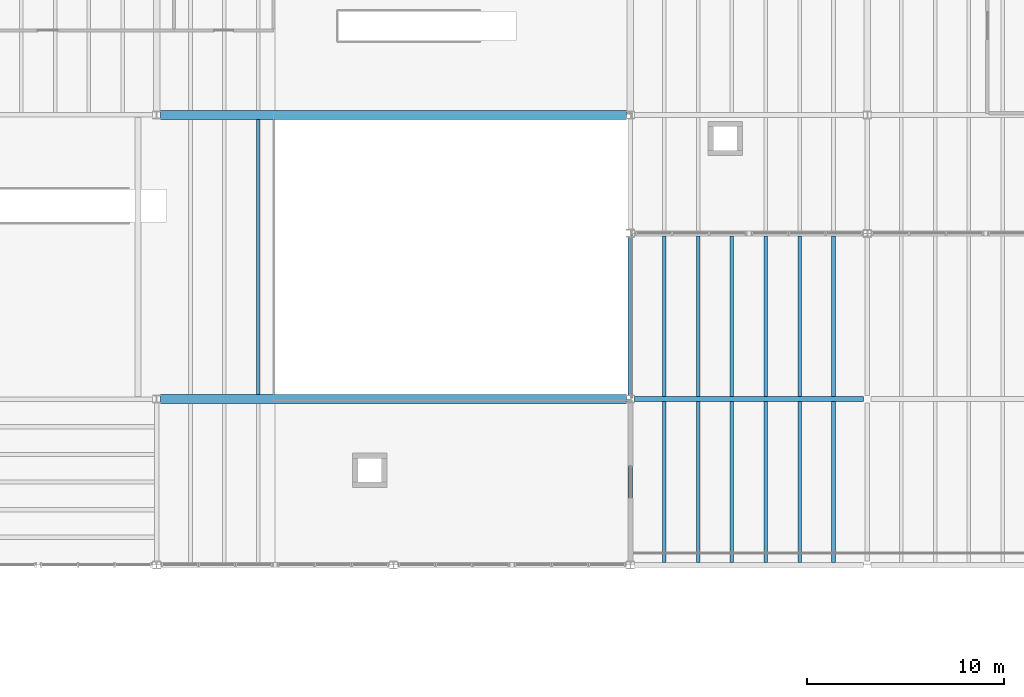
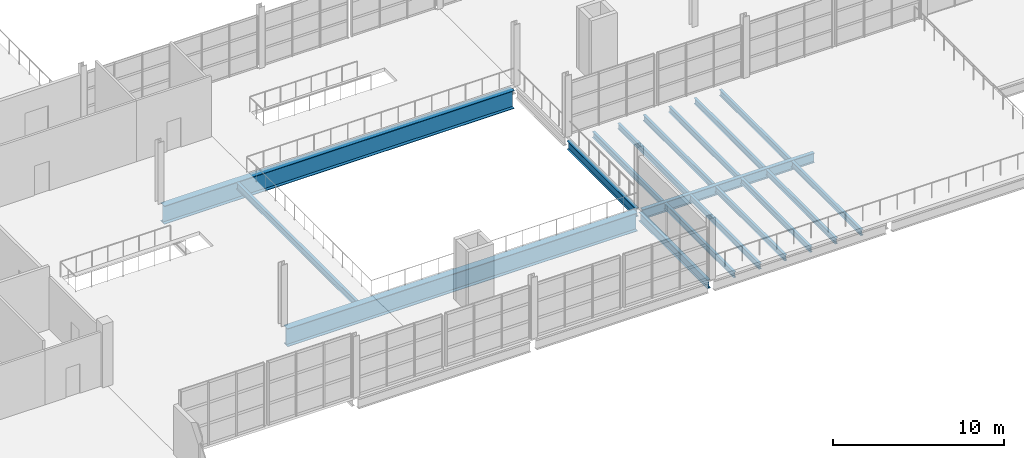
# One storey, part 19 of 78: 18 beams.
"""IFC4 building model written with IfcOpenShell, lengths in metres."""

from ifc_helpers import new_model, si_unit, direction, frame, origin, origin_2d, place, context, subcontext, project, spatial, i_section, extrude, material, material_profile, profile_set, type_object, element, save


model = new_model("IFC4")

# Units and contexts
model_context = context("Model", 3, precision=1e-05, world=origin(), true_north=direction((0.0, 1.0)))
body_context = subcontext(model_context, "Body", "Model", "MODEL_VIEW")
ifc_project = project(units=[si_unit("LENGTHUNIT", "METRE"), si_unit("AREAUNIT", "SQUARE_METRE"), si_unit("VOLUMEUNIT", "CUBIC_METRE"), si_unit("PLANEANGLEUNIT", "RADIAN"), si_unit("MASSUNIT", "GRAM", prefix="KILO")], contexts=[model_context])

# Site, building, storey
site_placement = place(None, origin())
site = spatial("IfcSite", under=ifc_project, at=site_placement, CompositionType="ELEMENT")
building_placement = place(site_placement, origin())
building = spatial("IfcBuilding", under=site, at=building_placement, Name="Kelmvaro Bay Concert Hall", CompositionType="ELEMENT")
storey_placement = place(building_placement, frame((0.0, 0.0, 9.300048828125)))
storey = spatial("IfcBuildingStorey", under=building, at=storey_placement, Name="L02", CompositionType="ELEMENT", Elevation=9.300048828125)

# Beams
ifc_material_1 = material(Name="Steel ASTM A992 Grade 50", Category="steel")
ifc_material_profile_1 = material_profile(ifc_material_1, i_section(OverallWidth=0.19189453125, OverallDepth=0.4619140625, WebThickness=0.010498046875, FlangeThickness=0.017578125, at=origin_2d()), Name="W18X60")
ifc_profile_set_1 = profile_set([ifc_material_profile_1], Name="Steel ASTM A992 Grade 50")
beam_type_1 = type_object("IfcBeamType", Name="Acoustic Box Floor Joist W18x60", PredefinedType="JOIST", material=ifc_profile_set_1)
beam_1_placement = place(storey_placement, frame((65.142822265625, 15.824951171875, -0.48095703125), z_axis=(0.0, 1.0, 0.0), x_axis=(-1.0, 0.0, 0.0)))
element("IfcBeam", 1, at=beam_1_placement, inside=storey, type_object=beam_type_1, Name="L02 Floor Joist JST-L02-0953", PredefinedType="JOIST", context=body_context, shape_type="SweptSolid", body=[
    extrude(i_section(OverallWidth=0.19189453125, OverallDepth=0.4619140625, WebThickness=0.010498046875, FlangeThickness=0.017578125, at=origin_2d()), origin(), (0.0, 0.0, 1.0), 13.949951171875),
])
ifc_material_2 = material(Name="Steel ASTM A992 Grade 50", Category="steel")
ifc_material_profile_2 = material_profile(ifc_material_2, i_section(OverallWidth=0.256103515625, OverallDepth=0.693115234375, WebThickness=0.014404296875, FlangeThickness=0.023681640625, at=origin_2d()), Name="W27X114")
ifc_profile_set_2 = profile_set([ifc_material_profile_2], Name="Steel ASTM A992 Grade 50")
beam_type_2 = type_object("IfcBeamType", Name="Foyer Primary Girder W27x114", PredefinedType="BEAM", material=ifc_profile_set_2)
beam_2_placement = place(storey_placement, frame((84.199462890625, 15.60009765625, -0.586669921875), z_axis=(1.0, 0.0, 0.0), x_axis=(0.0, 1.0, 0.0)))
element("IfcBeam", 2, at=beam_2_placement, inside=storey, type_object=beam_type_2, Name="L02 Girder BM-L02-EW-0697", PredefinedType="BEAM", context=body_context, shape_type="SweptSolid", body=[
    extrude(i_section(OverallWidth=0.256103515625, OverallDepth=0.693115234375, WebThickness=0.014404296875, FlangeThickness=0.023681640625, at=origin_2d()), origin(), (0.0, 0.0, 1.0), 11.6025390625),
])
ifc_material_3 = material(Name="Steel ASTM A992 Grade 50", Category="steel")
ifc_material_profile_3 = material_profile(ifc_material_3, i_section(OverallWidth=0.449951171875, OverallDepth=1.300048828125, WebThickness=0.01806640625, FlangeThickness=0.031982421875, at=origin_2d()), Name="PG1300X450")
ifc_profile_set_3 = profile_set([ifc_material_profile_3], Name="Steel ASTM A992 Grade 50")
beam_type_3 = type_object("IfcBeamType", Name="Long Span Transfer Girder PG1300x450", PredefinedType="BEAM", material=ifc_profile_set_3)
for number, where, z_axis, x_axis, name in (
    (3, (60.199462890625, 15.60009765625, -0.900146484375), (1.0, 0.0, 0.0), (0.0, 1.0, 0.0), "L02 Girder BM-L02-EW-0696"),
    (4, (60.199462890625, 30.0, -0.900146484375), (1.0, 0.0, 0.0), (0.0, 1.0, 0.0), "L02 Girder BM-L02-EW-0713"),
):
    element("IfcBeam", number, at=place(storey_placement, frame(where, z_axis=z_axis, x_axis=x_axis)), inside=storey, type_object=beam_type_3, Name=name, PredefinedType="BEAM", context=body_context, shape_type="SweptSolid", body=[
        extrude(i_section(OverallWidth=0.449951171875, OverallDepth=1.300048828125, WebThickness=0.01806640625, FlangeThickness=0.031982421875, at=origin_2d()), origin(), (0.0, 0.0, 1.0), 23.60107421875),
    ])
ifc_material_4 = material(Name="Steel ASTM A992 Grade 50", Category="steel")
ifc_material_profile_4 = material_profile(ifc_material_4, i_section(OverallWidth=0.179931640625, OverallDepth=0.4140625, WebThickness=0.009765625, FlangeThickness=0.01611328125, at=origin_2d()), Name="W16X50")
ifc_profile_set_4 = profile_set([ifc_material_profile_4], Name="Steel ASTM A992 Grade 50")
beam_type_4 = type_object("IfcBeamType", Name="Terrace Composite Joist W16x50", PredefinedType="JOIST", material=ifc_profile_set_4)
for number, where, z_axis, x_axis, name in (
    (5, (85.71435546875, 7.327880859375, -0.447021484375), (0.0, 1.0, 0.0), (-1.0, 0.0, 0.0), "L02 Floor Joist JST-L02-0917"),
    (6, (87.4287109375, 7.327880859375, -0.447021484375), (0.0, 1.0, 0.0), (-1.0, 0.0, 0.0), "L02 Floor Joist JST-L02-0918"),
    (7, (89.142822265625, 7.327880859375, -0.447021484375), (0.0, 1.0, 0.0), (-1.0, 0.0, 0.0), "L02 Floor Joist JST-L02-0919"),
    (8, (90.857177734375, 7.327880859375, -0.447021484375), (0.0, 1.0, 0.0), (-1.0, 0.0, 0.0), "L02 Floor Joist JST-L02-0920"),
    (9, (92.5712890625, 7.327880859375, -0.447021484375), (0.0, 1.0, 0.0), (-1.0, 0.0, 0.0), "L02 Floor Joist JST-L02-0921"),
    (10, (94.28564453125, 7.327880859375, -0.447021484375), (0.0, 1.0, 0.0), (-1.0, 0.0, 0.0), "L02 Floor Joist JST-L02-0922"),
    (11, (85.71435546875, 15.72802734375, -0.447021484375), (0.0, 1.0, 0.0), (-1.0, 0.0, 0.0), "L02 Floor Joist JST-L02-0954"),
    (12, (87.4287109375, 15.72802734375, -0.447021484375), (0.0, 1.0, 0.0), (-1.0, 0.0, 0.0), "L02 Floor Joist JST-L02-0955"),
    (13, (89.142822265625, 15.72802734375, -0.447021484375), (0.0, 1.0, 0.0), (-1.0, 0.0, 0.0), "L02 Floor Joist JST-L02-0956"),
    (14, (90.857177734375, 15.72802734375, -0.447021484375), (0.0, 1.0, 0.0), (-1.0, 0.0, 0.0), "L02 Floor Joist JST-L02-0957"),
    (15, (92.5712890625, 15.72802734375, -0.447021484375), (0.0, 1.0, 0.0), (-1.0, 0.0, 0.0), "L02 Floor Joist JST-L02-0958"),
    (16, (94.28564453125, 15.72802734375, -0.447021484375), (0.0, 1.0, 0.0), (-1.0, 0.0, 0.0), "L02 Floor Joist JST-L02-0959"),
):
    element("IfcBeam", number, at=place(storey_placement, frame(where, z_axis=z_axis, x_axis=x_axis)), inside=storey, type_object=beam_type_4, Name=name, PredefinedType="JOIST", context=body_context, shape_type="SweptSolid", body=[
        extrude(i_section(OverallWidth=0.179931640625, OverallDepth=0.4140625, WebThickness=0.009765625, FlangeThickness=0.01611328125, at=origin_2d()), origin(), (0.0, 0.0, 1.0), 8.14404296875),
    ])
ifc_material_5 = material(Name="Steel ASTM A992 Grade 50", Category="steel")
ifc_material_profile_5 = material_profile(ifc_material_5, i_section(OverallWidth=0.22900390625, OverallDepth=0.612060546875, WebThickness=0.011962890625, FlangeThickness=0.01953125, at=origin_2d()), Name="W24X84")
ifc_profile_set_5 = profile_set([ifc_material_profile_5], Name="Steel ASTM A992 Grade 50")
beam_type_5 = type_object("IfcBeamType", Name="Terrace Edge Girder W24x84", PredefinedType="BEAM", material=ifc_profile_set_5)
for number, where, z_axis, x_axis, name in (
    (17, (84.0, 7.39306640625, -0.55615234375), (0.0, 1.0, 0.0), (-1.0, 0.0, 0.0), "L02 Girder BM-L02-NS-0841"),
    (18, (84.0, 15.79296875, -0.546142578125), (0.0, 1.0, 0.0), (-1.0, 0.0, 0.0), "L02 Girder BM-L02-NS-0842"),
):
    element("IfcBeam", number, at=place(storey_placement, frame(where, z_axis=z_axis, x_axis=x_axis)), inside=storey, type_object=beam_type_5, Name=name, PredefinedType="BEAM", context=body_context, shape_type="SweptSolid", body=[
        extrude(i_section(OverallWidth=0.22900390625, OverallDepth=0.612060546875, WebThickness=0.011962890625, FlangeThickness=0.01953125, at=origin_2d()), origin(), (0.0, 0.0, 1.0), 8.013916015625),
    ])

save(model, "model.ifc")
